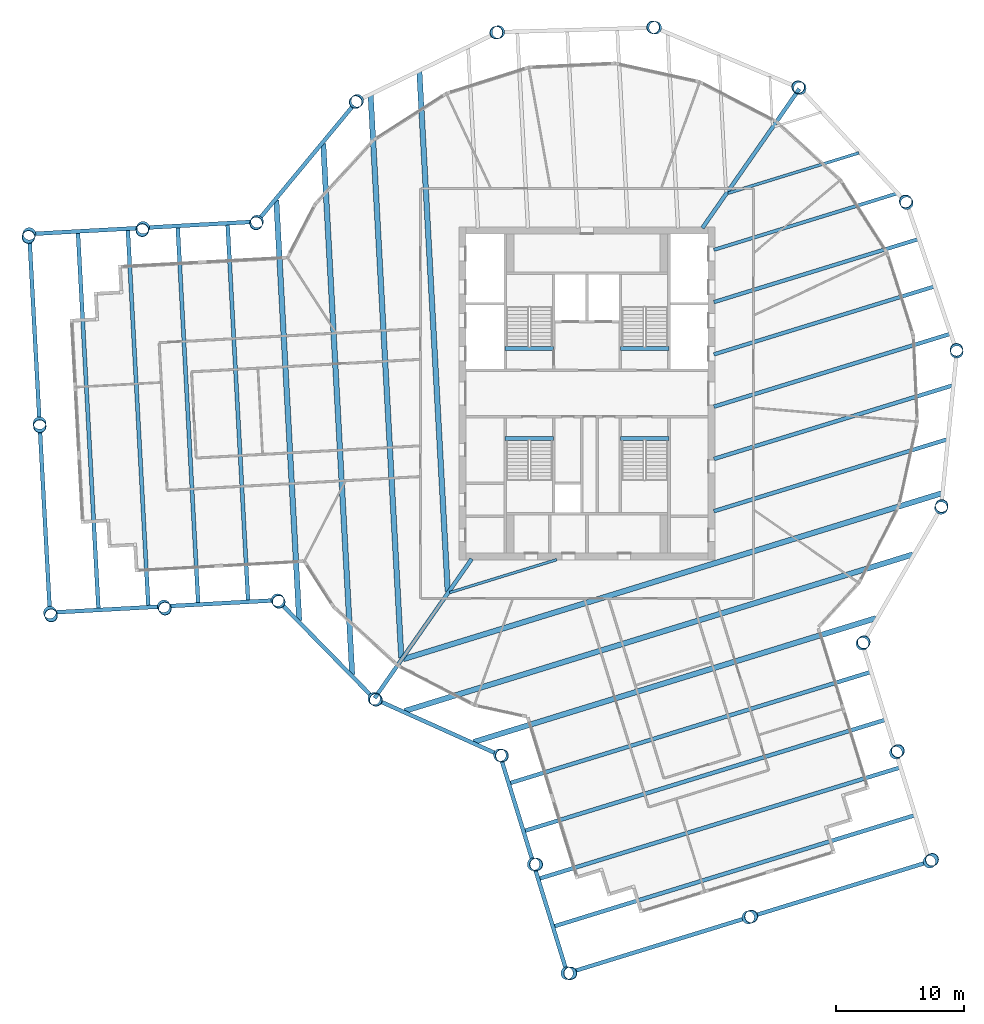
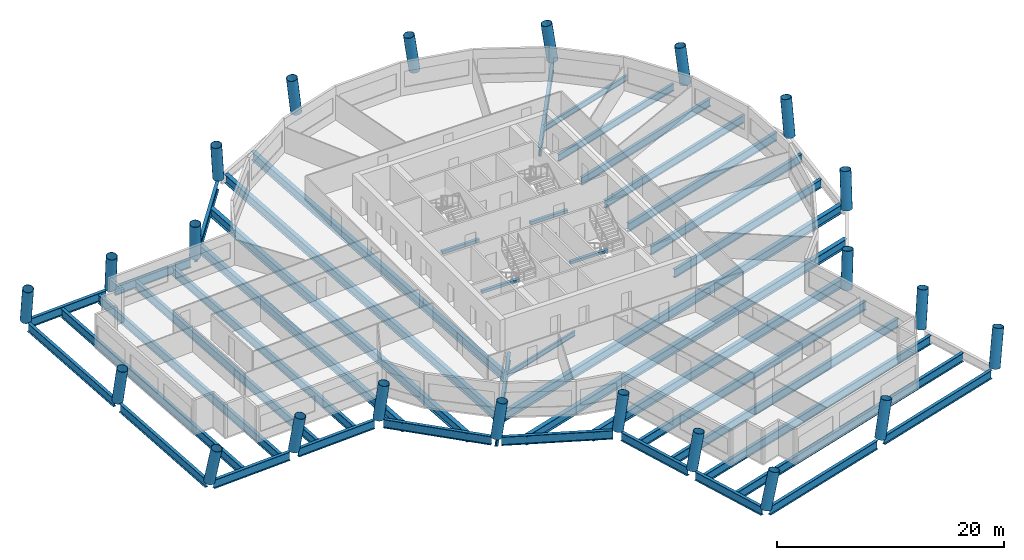
# One storey, part 1 of 11: 42 beams, 22 columns.
"""IFC4 building model written with IfcOpenShell, lengths in metres."""

import ifcopenshell
import ifcopenshell.guid

model = None  # the IFC model being written
_history = None  # IfcOwnerHistory: only IFC2X3 demands one
_inside = {}  # id of a spatial element -> (the spatial element, [elements in it])
_under = {}  # id of a project, library or spatial element -> (it, [spatial elements below it])
_declared = {}  # id of a project -> (the project, [libraries it declares])
_typed = {}  # id of a type object -> (the type object, [elements of that type])
_made_of = {}  # id of a material, layer set ... -> (it, [elements and type objects made of it])


def new_model(schema):
    """Start an empty IFC model of exactly this schema.

    Asked for "IFC4X3", IfcOpenShell would pick the latest addendum, in which some entities
    have other attributes; the version numbers below select the first issue.
    IFC2X3 requires an IfcOwnerHistory on every rooted entity: one is made here for all.
    """
    global model, _history
    if schema == "IFC4X3":
        model = ifcopenshell.file(schema_version=(4, 3, 0, 0))
    else:
        model = ifcopenshell.file(schema=schema)
    _inside.clear()
    _under.clear()
    _declared.clear()
    _typed.clear()
    _made_of.clear()
    _history = None
    if model.schema == "IFC2X3":
        org = make("IfcOrganization", Name="unknown")
        user = make(
            "IfcPersonAndOrganization",
            ThePerson=make("IfcPerson", FamilyName="unknown"),
            TheOrganization=org,
        )
        app = make(
            "IfcApplication",
            ApplicationDeveloper=org,
            Version="unknown",
            ApplicationFullName="unknown",
            ApplicationIdentifier="unknown",
        )
        _history = make(
            "IfcOwnerHistory",
            OwningUser=user,
            OwningApplication=app,
            ChangeAction="ADDED",
            CreationDate=0,
        )
    return model


def make(cls, **values):
    """One entity of the class cls with the attributes given. An attribute that is None is left unset."""
    return model.create_entity(
        cls, **{name: value for name, value in values.items() if value is not None}
    )


def rooted(cls, **values):
    """An entity with a GlobalId (a new one), such as an element, a storey or a relation."""
    return make(cls, GlobalId=ifcopenshell.guid.new(), OwnerHistory=_history, **values)


def si_unit(unit_type, name, prefix=None):
    """IfcSIUnit, for example si_unit("LENGTHUNIT", "METRE", prefix="MILLI")."""
    return make("IfcSIUnit", UnitType=unit_type, Prefix=prefix, Name=name)


def assignment(units):
    """IfcUnitAssignment: the units of a project."""
    return None if units is None else make("IfcUnitAssignment", Units=units)


def point(xyz):
    """IfcCartesianPoint."""
    return None if xyz is None else make("IfcCartesianPoint", Coordinates=xyz)


def direction(xyz):
    """IfcDirection."""
    return None if xyz is None else make("IfcDirection", DirectionRatios=xyz)


def frame(location, z_axis=None, x_axis=None):
    """IfcAxis2Placement3D, a coordinate frame: its origin and axes. An axis left out is left unset."""
    return make(
        "IfcAxis2Placement3D",
        Location=point(location),
        Axis=direction(z_axis),
        RefDirection=direction(x_axis),
    )


def frame_2d(location, x_axis=None):
    """IfcAxis2Placement2D, a coordinate frame in the plane: its origin and x axis."""
    return make(
        "IfcAxis2Placement2D", Location=point(location), RefDirection=direction(x_axis)
    )


def origin():
    """The frame at (0, 0, 0) with its axes left unset."""
    return frame((0.0, 0.0, 0.0))


def origin_2d():
    """The frame at (0, 0) in the plane with its x axis left unset."""
    return frame_2d((0.0, 0.0))


def place(relative_to, where):
    """IfcLocalPlacement: puts the frame where relative to a parent placement (None: the world)."""
    return make(
        "IfcLocalPlacement", PlacementRelTo=relative_to, RelativePlacement=where
    )


def context(
    kind, dimensions, precision=None, world=None, true_north=None, identifier=None
):
    """IfcGeometricRepresentationContext, for example the 3D "Model" context."""
    return make(
        "IfcGeometricRepresentationContext",
        ContextIdentifier=identifier,
        ContextType=kind,
        CoordinateSpaceDimension=dimensions,
        Precision=precision,
        WorldCoordinateSystem=world,
        TrueNorth=true_north,
    )


def subcontext(parent, identifier, kind, view, scale=None):
    """IfcGeometricRepresentationSubContext, for example "Body" below "Model"."""
    return make(
        "IfcGeometricRepresentationSubContext",
        ContextIdentifier=identifier,
        ContextType=kind,
        ParentContext=parent,
        TargetScale=scale,
        TargetView=view,
    )


def project(units=None, contexts=None):
    """IfcProject with its units and contexts."""
    return rooted(
        "IfcProject",
        Name="project",
        RepresentationContexts=contexts,
        UnitsInContext=assignment(units),
    )


def spatial(cls, under=None, at=None, **own):
    """A site, building, storey or space (cls), placed at a placement, below another one or the project."""
    s = rooted(cls, ObjectPlacement=at, **own)
    if under is not None:
        _under.setdefault(under.id(), (under, []))[1].append(s)
    return s


def profile(cls, at=None, kind="AREA", **sizes):
    """A parametric profile (cls). Its sizes go by their IFC names, for example OverallWidth=200.0."""
    return make(cls, ProfileType=kind, Position=at, **sizes)


def rectangle(**sizes):
    """IfcRectangleProfileDef."""
    return profile("IfcRectangleProfileDef", **sizes)


def hollow_circle(**sizes):
    """IfcCircleHollowProfileDef."""
    return profile("IfcCircleHollowProfileDef", **sizes)


def i_section(**sizes):
    """IfcIShapeProfileDef."""
    return profile("IfcIShapeProfileDef", **sizes)


def extrude(swept, where, along, depth):
    """IfcExtrudedAreaSolid: the profile swept, set in the frame where, extruded along a direction by depth."""
    return make(
        "IfcExtrudedAreaSolid",
        SweptArea=swept,
        Position=where,
        ExtrudedDirection=direction(along),
        Depth=depth,
    )


def shape(context_of_items, identifier, shape_type, items):
    """IfcShapeRepresentation: the items that make up one representation, for example the "Body"."""
    return make(
        "IfcShapeRepresentation",
        ContextOfItems=context_of_items,
        RepresentationIdentifier=identifier,
        RepresentationType=shape_type,
        Items=items,
    )


def material(Name=None, Category=None):
    """IfcMaterial."""
    return make("IfcMaterial", Name=Name, Category=Category)


def material_profile(
    of_material, cross_section, Name=None, Category=None, Priority=None
):
    """IfcMaterialProfile: a cross section and its material."""
    return make(
        "IfcMaterialProfile",
        Name=Name,
        Material=of_material,
        Profile=cross_section,
        Priority=Priority,
        Category=Category,
    )


def profile_set(profiles, Name=None, composite=None):
    """IfcMaterialProfileSet."""
    return make(
        "IfcMaterialProfileSet",
        Name=Name,
        MaterialProfiles=profiles,
        CompositeProfile=composite,
    )


def made_of(thing, what):
    """Note that an element or type object is made of a material, layer set ...; save() writes the relation."""
    if what is not None:
        _made_of.setdefault(what.id(), (what, []))[1].append(thing)
    return thing


def type_object(cls, material=None, **own):
    """A type object (cls), such as IfcWallType, which elements share."""
    return made_of(rooted(cls, **own), material)


def element(
    cls,
    number,
    at=None,
    inside=None,
    cuts=None,
    type_object=None,
    material=None,
    context=None,
    identifier="Body",
    shape_type=None,
    held_by="IfcProductDefinitionShape",
    body=None,
    shapes=None,
    **own,
):
    """One element of the class cls, such as IfcWall. Its Tag is "e" and its number.

    at: its placement. inside: the storey or other place that contains it. cuts: it is an
    opening in that element (IfcRelVoidsElement). A single representation is given by context,
    identifier, shape_type and body (its items); several are given by shapes. held_by: the class
    of the entity that holds the representations. save() writes the other relations.
    """
    e = rooted(cls, Tag="e%d" % number, ObjectPlacement=at, **own)
    if body is not None:
        shapes = [shape(context, identifier, shape_type, body)]
    if shapes is not None:
        e.Representation = make(held_by, Representations=shapes)
    if inside is not None:
        _inside.setdefault(inside.id(), (inside, []))[1].append(e)
    if cuts is not None:
        rooted(
            "IfcRelVoidsElement", RelatingBuildingElement=cuts, RelatedOpeningElement=e
        )
    if type_object is not None:
        _typed.setdefault(type_object.id(), (type_object, []))[1].append(e)
    return made_of(e, material)


def aggregate(whole, parts):
    """IfcRelAggregates: a whole, such as a stair, and the parts it consists of."""
    return rooted("IfcRelAggregates", RelatingObject=whole, RelatedObjects=parts)


def save(model, path):
    """Write the relations noted so far, then the file.

    IfcRelAggregates (storeys below a building ...), IfcRelContainedInSpatialStructure (elements
    in a storey), IfcRelDefinesByType, IfcRelAssociatesMaterial and IfcRelDeclares: one each for
    every whole, place, type object, material and project.
    """
    for whole, parts in _under.values():
        aggregate(whole, parts)
    for where, things in _inside.values():
        rooted(
            "IfcRelContainedInSpatialStructure",
            RelatedElements=things,
            RelatingStructure=where,
        )
    for kind, things in _typed.values():
        rooted("IfcRelDefinesByType", RelatedObjects=things, RelatingType=kind)
    for what, things in _made_of.values():
        rooted("IfcRelAssociatesMaterial", RelatedObjects=things, RelatingMaterial=what)
    for by, libraries in _declared.values():
        rooted("IfcRelDeclares", RelatingContext=by, RelatedDefinitions=libraries)
    model.write(path)


model = new_model("IFC4")

# Units and contexts
model_context = context("Model", 3, precision=1e-05, world=origin(), true_north=direction((0.0, 1.0)))
body_context = subcontext(model_context, "Body", "Model", "MODEL_VIEW")
ifc_project = project(units=[si_unit("LENGTHUNIT", "METRE"), si_unit("AREAUNIT", "SQUARE_METRE"), si_unit("VOLUMEUNIT", "CUBIC_METRE"), si_unit("PLANEANGLEUNIT", "RADIAN"), si_unit("MASSUNIT", "GRAM", prefix="KILO")], contexts=[model_context])

# Site, building, storey
site_placement = place(None, origin())
site = spatial("IfcSite", under=ifc_project, at=site_placement, CompositionType="ELEMENT")
building_placement = place(site_placement, origin())
building = spatial("IfcBuilding", under=site, at=building_placement, Name="Tarsis Ring Headquarters", CompositionType="ELEMENT")
storey_placement = place(building_placement, frame((0.0, 0.0, 298.10009765625)))
storey = spatial("IfcBuildingStorey", under=building, at=storey_placement, Name="L70", CompositionType="ELEMENT", Elevation=298.10009765625)

# Columns
ifc_material_1 = material(Name="Structural steel S355", Category="steel")
ifc_material_profile_1 = material_profile(ifc_material_1, hollow_circle(Radius=0.508056640625, WallThickness=0.0400390625, at=origin_2d()), Name="CHS 1016x40")
ifc_profile_set_1 = profile_set([ifc_material_profile_1], Name="Structural steel S355")
column_type = type_object("IfcColumnType", Name="XC Exo column CHS 1016x40", PredefinedType="COLUMN", material=ifc_profile_set_1)
for number, where, z_axis, x_axis, name in (
    (1, (-16.611328125, -23.830078125, 0.001953125), (0.110587446047, -0.075615880527, 0.990985698882), (0.564433670168, 0.825478426115, 0.0), "Exo column XC6 F1"),
    (2, (-6.785888671875, -28.244873046875, 0.001953125), (0.130535657275, -0.030109227538, 0.99098631504), (0.224757549709, 0.974414718613, 0.0), "Exo column XC6 AK"),
):
    element("IfcColumn", number, at=place(storey_placement, frame(where, z_axis=z_axis, x_axis=x_axis)), inside=storey, type_object=column_type, Name=name, PredefinedType="COLUMN", context=body_context, shape_type="SweptSolid", body=[
        extrude(hollow_circle(Radius=0.508056640625, WallThickness=0.0400390625, at=origin_2d()), origin(), (0.0, 0.0, 1.0), 3.91650390625),
    ])
column_1_placement = place(storey_placement, frame((-4.1650390625, -36.75244140625, 0.00244140625), z_axis=(0.168699820831, -0.01762720718, 0.985509843694), x_axis=(0.103922826838, 0.994585363889, 0.0)))
element("IfcColumn", 3, at=column_1_placement, inside=storey, type_object=column_type, Name="Exo column XC6 AI1", PredefinedType="COLUMN", context=body_context, shape_type="SweptSolid", body=[
    extrude(hollow_circle(Radius=0.508056640625, WallThickness=0.0400390625, at=origin_2d()), origin(), (0.0, 0.0, 1.0), 3.933349609375),
])
column_2_placement = place(storey_placement, frame((-1.54443359375, -45.26025390625, 0.0029296875), z_axis=(0.206200501393, -0.005182777414, 0.978496035783), x_axis=(0.025126714255, 0.999684274274, 0.0)))
element("IfcColumn", 4, at=column_2_placement, inside=storey, type_object=column_type, Name="Exo column XC6 AT1", PredefinedType="COLUMN", context=body_context, shape_type="SweptSolid", body=[
    extrude(hollow_circle(Radius=0.508056640625, WallThickness=0.0400390625, at=origin_2d()), origin(), (0.0, 0.0, 1.0), 3.95703125),
])
column_3_placement = place(storey_placement, frame((12.599853515625, -40.9033203125, 0.0029296875), z_axis=(0.186145121661, 0.059163361484, 0.980739359025), x_axis=(-0.302903162475, 0.953021339825, 0.0)))
element("IfcColumn", 5, at=column_3_placement, inside=storey, type_object=column_type, Name="Exo column XC6 AT2", PredefinedType="COLUMN", context=body_context, shape_type="SweptSolid", body=[
    extrude(hollow_circle(Radius=0.508056640625, WallThickness=0.0400390625, at=origin_2d()), origin(), (0.0, 0.0, 1.0), 3.94921875),
])
column_4_placement = place(storey_placement, frame((26.743896484375, -36.54638671875, 0.0029296875), z_axis=(0.165355788019, 0.123276441963, 0.978499045593), x_axis=(-0.597700060073, 0.801719800298, 0.0)))
element("IfcColumn", 6, at=column_4_placement, inside=storey, type_object=column_type, Name="Exo column XC6 AT3", PredefinedType="COLUMN", context=body_context, shape_type="SweptSolid", body=[
    extrude(hollow_circle(Radius=0.508056640625, WallThickness=0.0400390625, at=origin_2d()), origin(), (0.0, 0.0, 1.0), 3.956787109375),
])
column_5_placement = place(storey_placement, frame((24.123291015625, -28.038818359375, 0.00244140625), z_axis=(0.12754847813, 0.111845429484, 0.985505954132), x_axis=(-0.659307215902, 0.751873656314, 0.0)))
element("IfcColumn", 7, at=column_5_placement, inside=storey, type_object=column_type, Name="Exo column XC6 AO1", PredefinedType="COLUMN", context=body_context, shape_type="SweptSolid", body=[
    extrude(hollow_circle(Radius=0.508056640625, WallThickness=0.0400390625, at=origin_2d()), origin(), (0.0, 0.0, 1.0), 3.93359375),
])
for number, where, z_axis, x_axis, name in (
    (8, (21.50244140625, -19.531005859375, 0.001953125), (0.089205174603, 0.099989587745, 0.990981593758), (-0.746201740964, 0.665719882369, 0.0), "Exo column XC6 AJ"),
    (9, (27.641357421875, -8.931640625, 0.001953125), (0.040020911059, 0.12785496664, 0.990985082725), (-0.954339121356, 0.298725361243, 0.0), "Exo column XC6 R1"),
    (10, (28.865478515625, 3.255859375, 0.001953125), (-0.016207757707, 0.133028288257, 0.990979708729), (-0.992659504426, -0.120942582545, 0.0), "Exo column XC6 R2"),
    (11, (24.957275390625, 14.864501953125, 0.001953125), (-0.069630925636, 0.11451388576, 0.990978357061), (-0.854440971057, -0.519548483762, 0.0), "Exo column XC6 R3"),
    (12, (16.611328125, 23.830078125, 0.001953125), (-0.110587446047, 0.075615880527, 0.990985698882), (-0.564433670168, -0.825478426115, 0.0), "Exo column XC6 R4"),
    (13, (5.31201171875, 28.55859375, 0.001953125), (-0.131907295313, 0.023314427432, 0.990987841962), (-0.174050810832, -0.98473667305, 0.0), "Exo column XC6 R5"),
    (14, (-6.931884765625, 28.209228515625, 0.001953125), (-0.129787965071, -0.033101541524, 0.990989087766), (0.247132236473, -0.968981763345, 0.0), "Exo column XC6 R6"),
    (15, (-17.943115234375, 22.84423828125, 0.001953125), (-0.104602826547, -0.083719663917, 0.990983989049), (0.624865255526, -0.780732612638, 0.0), "Exo column XC6 R7"),
    (16, (-25.76416015625, 13.41748046875, 0.001953125), (-0.06077907664, -0.119438677787, 0.990979468047), (0.891241747899, -0.453528551253, 0.0), "Exo column XC6 BJ"),
):
    element("IfcColumn", number, at=place(storey_placement, frame(where, z_axis=z_axis, x_axis=x_axis)), inside=storey, type_object=column_type, Name=name, PredefinedType="COLUMN", context=body_context, shape_type="SweptSolid", body=[
        extrude(hollow_circle(Radius=0.508056640625, WallThickness=0.0400390625, at=origin_2d()), origin(), (0.0, 0.0, 1.0), 3.91650390625),
    ])
column_6_placement = place(storey_placement, frame((-34.653076171875, 12.9326171875, 0.00244140625), z_axis=(-0.05790886875, -0.159451108059, 0.985505914269), x_axis=(0.939932218059, -0.341361136415, 0.0)))
element("IfcColumn", 17, at=column_6_placement, inside=storey, type_object=column_type, Name="Exo column XC6 BO1", PredefinedType="COLUMN", context=body_context, shape_type="SweptSolid", body=[
    extrude(hollow_circle(Radius=0.508056640625, WallThickness=0.0400390625, at=origin_2d()), origin(), (0.0, 0.0, 1.0), 3.93359375),
])
column_7_placement = place(storey_placement, frame((-43.542236328125, 12.447998046875, 0.0029296875), z_axis=(-0.054913036217, -0.198797531115, 0.978500945363), x_axis=(0.963902648971, -0.266254921659, 0.0)))
element("IfcColumn", 18, at=column_7_placement, inside=storey, type_object=column_type, Name="Exo column XC6 BT3", PredefinedType="COLUMN", context=body_context, shape_type="SweptSolid", body=[
    extrude(hollow_circle(Radius=0.508056640625, WallThickness=0.0400390625, at=origin_2d()), origin(), (0.0, 0.0, 1.0), 3.956787109375),
])
column_8_placement = place(storey_placement, frame((-42.736572265625, -2.330078125, 0.0029296875), z_axis=(0.012426014599, -0.194983333559, 0.980727838799), x_axis=(0.997975497413, 0.063599579892, 0.0)))
element("IfcColumn", 19, at=column_8_placement, inside=storey, type_object=column_type, Name="Exo column XC6 BT2", PredefinedType="COLUMN", context=body_context, shape_type="SweptSolid", body=[
    extrude(hollow_circle(Radius=0.508056640625, WallThickness=0.0400390625, at=origin_2d()), origin(), (0.0, 0.0, 1.0), 3.94921875),
])
column_9_placement = place(storey_placement, frame((-41.9306640625, -17.108154296875, 0.0029296875), z_axis=(0.079593718351, -0.190222816803, 0.978509131264), x_axis=(0.922500463673, 0.38599597734, 0.0)))
element("IfcColumn", 20, at=column_9_placement, inside=storey, type_object=column_type, Name="Exo column XC6 BT1", PredefinedType="COLUMN", context=body_context, shape_type="SweptSolid", body=[
    extrude(hollow_circle(Radius=0.508056640625, WallThickness=0.0400390625, at=origin_2d()), origin(), (0.0, 0.0, 1.0), 3.956787109375),
])
column_10_placement = place(storey_placement, frame((-33.041748046875, -16.62353515625, 0.00244140625), z_axis=(0.077584655212, -0.150824569731, 0.98551132436), x_axis=(0.889245274252, 0.457430696632, 0.0)))
element("IfcColumn", 21, at=column_10_placement, inside=storey, type_object=column_type, Name="Exo column XC6 BI1", PredefinedType="COLUMN", context=body_context, shape_type="SweptSolid", body=[
    extrude(hollow_circle(Radius=0.508056640625, WallThickness=0.0400390625, at=origin_2d()), origin(), (0.0, 0.0, 1.0), 3.933349609375),
])
column_11_placement = place(storey_placement, frame((-24.15283203125, -16.138671875, 0.001953125), z_axis=(0.075428891576, -0.110712158215, 0.99098602429), x_axis=(0.826424187518, 0.56304801064, 0.0)))
element("IfcColumn", 22, at=column_11_placement, inside=storey, type_object=column_type, Name="Exo column XC6 BK", PredefinedType="COLUMN", context=body_context, shape_type="SweptSolid", body=[
    extrude(hollow_circle(Radius=0.508056640625, WallThickness=0.0400390625, at=origin_2d()), origin(), (0.0, 0.0, 1.0), 3.91650390625),
])

# Beams
ifc_material_profile_2 = material_profile(ifc_material_1, i_section(OverallWidth=0.209228515625, OverallDepth=0.533447265625, WebThickness=0.01025390625, FlangeThickness=0.015625, at=origin_2d()), Name="W21x62")
ifc_profile_set_2 = profile_set([ifc_material_profile_2], Name="Structural steel S355")
beam_type_1 = type_object("IfcBeamType", Name="FB Floor beam W21x62", PredefinedType="JOIST", material=ifc_profile_set_2)
beam_1_placement = place(storey_placement, frame((-10.72265625, -15.545166015625, -0.4267578125), z_axis=(0.955690850756, 0.294372209594, 0.0), x_axis=(-0.294372209594, 0.955690850756, 0.0)))
element("IfcBeam", 23, at=beam_1_placement, inside=storey, type_object=beam_type_1, Name="Floor beam FB3", PredefinedType="JOIST", context=body_context, shape_type="SweptSolid", body=[
    extrude(i_section(OverallWidth=0.209228515625, OverallDepth=0.533447265625, WebThickness=0.01025390625, FlangeThickness=0.015625, at=origin_2d()), origin(), (0.0, 0.0, 1.0), 8.746337890625),
])
ifc_material_profile_3 = material_profile(ifc_material_1, i_section(OverallWidth=0.228271484375, OverallDepth=0.607177734375, WebThickness=0.01123046875, FlangeThickness=0.017333984375, at=origin_2d()), Name="W24x76")
ifc_profile_set_3 = profile_set([ifc_material_profile_3], Name="Structural steel S355")
beam_type_2 = type_object("IfcBeamType", Name="FB Floor beam W24x76", PredefinedType="JOIST", material=ifc_profile_set_3)
beam_2_placement = place(storey_placement, frame((11.012451171875, 15.634521484375, -0.463623046875), z_axis=(0.955692510818, 0.294366820085, 0.0), x_axis=(-0.294366820085, 0.955692510818, 0.0)))
element("IfcBeam", 24, at=beam_2_placement, inside=storey, type_object=beam_type_2, Name="Floor beam FB4", PredefinedType="JOIST", context=body_context, shape_type="SweptSolid", body=[
    extrude(i_section(OverallWidth=0.228271484375, OverallDepth=0.607177734375, WebThickness=0.01123046875, FlangeThickness=0.017333984375, at=origin_2d()), origin(), (0.0, 0.0, 1.0), 10.684814453125),
])
ifc_material_profile_4 = material_profile(ifc_material_1, i_section(OverallWidth=0.2666015625, OverallDepth=0.7568359375, WebThickness=0.013916015625, FlangeThickness=0.019287109375, at=origin_2d()), Name="W30x108")
ifc_profile_set_4 = profile_set([ifc_material_profile_4], Name="Structural steel S355")
beam_type_3 = type_object("IfcBeamType", Name="FB Floor beam W30x108", PredefinedType="JOIST", material=ifc_profile_set_4)
beam_3_placement = place(storey_placement, frame((9.904541015625, 11.21240234375, -0.53857421875), z_axis=(0.955689177985, 0.294377640256, 0.0), x_axis=(-0.294377640256, 0.955689177985, 0.0)))
element("IfcBeam", 25, at=beam_3_placement, inside=storey, type_object=beam_type_3, Name="Floor beam FB6", PredefinedType="JOIST", context=body_context, shape_type="SweptSolid", body=[
    extrude(i_section(OverallWidth=0.2666015625, OverallDepth=0.7568359375, WebThickness=0.013916015625, FlangeThickness=0.019287109375, at=origin_2d()), origin(), (0.0, 0.0, 1.0), 14.93310546875),
])
ifc_material_profile_5 = material_profile(ifc_material_1, i_section(OverallWidth=0.2919921875, OverallDepth=0.835693359375, WebThickness=0.013916015625, FlangeThickness=0.018798828125, at=origin_2d()), Name="W33x118")
ifc_profile_set_5 = profile_set([ifc_material_profile_5], Name="Structural steel S355")
beam_type_4 = type_object("IfcBeamType", Name="FB Floor beam W33x118", PredefinedType="JOIST", material=ifc_profile_set_5)
beam_4_placement = place(storey_placement, frame((9.904541015625, 7.131591796875, -0.577880859375), z_axis=(0.955688790779, 0.294378897305, 0.0), x_axis=(-0.294378897305, 0.955688790779, 0.0)))
element("IfcBeam", 26, at=beam_4_placement, inside=storey, type_object=beam_type_4, Name="Floor beam FB7", PredefinedType="JOIST", context=body_context, shape_type="SweptSolid", body=[
    extrude(i_section(OverallWidth=0.2919921875, OverallDepth=0.835693359375, WebThickness=0.013916015625, FlangeThickness=0.018798828125, at=origin_2d()), origin(), (0.0, 0.0, 1.0), 16.683837890625),
])
beam_5_placement = place(storey_placement, frame((9.904541015625, 3.05078125, -0.577880859375), z_axis=(0.955691214574, 0.294371028441, 0.0), x_axis=(-0.294371028441, 0.955691214574, 0.0)))
element("IfcBeam", 27, at=beam_5_placement, inside=storey, type_object=beam_type_4, Name="Floor beam FB7", PredefinedType="JOIST", context=body_context, shape_type="SweptSolid", body=[
    extrude(i_section(OverallWidth=0.2919921875, OverallDepth=0.835693359375, WebThickness=0.013916015625, FlangeThickness=0.018798828125, at=origin_2d()), origin(), (0.0, 0.0, 1.0), 17.986328125),
])
ifc_material_profile_6 = material_profile(ifc_material_1, i_section(OverallWidth=0.3046875, OverallDepth=0.904296875, WebThickness=0.01513671875, FlangeThickness=0.02001953125, at=origin_2d()), Name="W36x135")
ifc_profile_set_6 = profile_set([ifc_material_profile_6], Name="Structural steel S355")
beam_type_5 = type_object("IfcBeamType", Name="FB Floor beam W36x135", PredefinedType="JOIST", material=ifc_profile_set_6)
beam_6_placement = place(storey_placement, frame((9.904541015625, -1.030029296875, -0.6123046875), z_axis=(0.95568865338, 0.294379343367, 0.0), x_axis=(-0.294379343367, 0.95568865338, 0.0)))
element("IfcBeam", 28, at=beam_6_placement, inside=storey, type_object=beam_type_5, Name="Floor beam FB8", PredefinedType="JOIST", context=body_context, shape_type="SweptSolid", body=[
    extrude(i_section(OverallWidth=0.3046875, OverallDepth=0.904296875, WebThickness=0.01513671875, FlangeThickness=0.02001953125, at=origin_2d()), origin(), (0.0, 0.0, 1.0), 19.288818359375),
])
beam_7_placement = place(storey_placement, frame((9.904541015625, -5.11083984375, -0.6123046875), z_axis=(0.955689623319, 0.294376194487, 0.0), x_axis=(-0.294376194487, 0.955689623319, 0.0)))
element("IfcBeam", 29, at=beam_7_placement, inside=storey, type_object=beam_type_5, Name="Floor beam FB8", PredefinedType="JOIST", context=body_context, shape_type="SweptSolid", body=[
    extrude(i_section(OverallWidth=0.3046875, OverallDepth=0.904296875, WebThickness=0.01513671875, FlangeThickness=0.02001953125, at=origin_2d()), origin(), (0.0, 0.0, 1.0), 19.498046875),
])
beam_8_placement = place(storey_placement, frame((9.904541015625, -9.191650390625, -0.6123046875), z_axis=(0.955690318477, 0.294373937652, 0.0), x_axis=(-0.294373937652, 0.955690318477, 0.0)))
element("IfcBeam", 30, at=beam_8_placement, inside=storey, type_object=beam_type_5, Name="Floor beam FB8", PredefinedType="JOIST", context=body_context, shape_type="SweptSolid", body=[
    extrude(i_section(OverallWidth=0.3046875, OverallDepth=0.904296875, WebThickness=0.01513671875, FlangeThickness=0.02001953125, at=origin_2d()), origin(), (0.0, 0.0, 1.0), 19.05517578125),
])
ifc_material_profile_7 = material_profile(ifc_material_1, i_section(OverallWidth=0.309814453125, OverallDepth=0.949951171875, WebThickness=0.0244140625, FlangeThickness=0.0439453125, at=origin_2d()), Name="W36x256")
ifc_profile_set_7 = profile_set([ifc_material_profile_7], Name="Structural steel S355")
beam_type_6 = type_object("IfcBeamType", Name="FB Floor beam W36x256", PredefinedType="JOIST", material=ifc_profile_set_7)
for number, where, z_axis, x_axis, name in (
    (31, (-6.05517578125, -30.430908203125, -0.635009765625), (0.955689822888, 0.294375546585, 0.0), (-0.294375546585, 0.955689822888, 0.0), "Floor beam FB11"),
    (32, (-4.9072265625, -34.158203125, -0.635009765625), (0.955689822888, 0.294375546585, 0.0), (-0.294375546585, 0.955689822888, 0.0), "Floor beam FB11"),
):
    element("IfcBeam", number, at=place(storey_placement, frame(where, z_axis=z_axis, x_axis=x_axis)), inside=storey, type_object=beam_type_6, Name=name, PredefinedType="JOIST", context=body_context, shape_type="SweptSolid", body=[
        extrude(i_section(OverallWidth=0.309814453125, OverallDepth=0.949951171875, WebThickness=0.0244140625, FlangeThickness=0.0439453125, at=origin_2d()), origin(), (0.0, 0.0, 1.0), 29.489990234375),
    ])
beam_9_placement = place(storey_placement, frame((-3.75927734375, -37.88525390625, -0.635009765625), z_axis=(0.955690540291, 0.29437321753, 0.0), x_axis=(-0.29437321753, 0.955690540291, 0.0)))
element("IfcBeam", 33, at=beam_9_placement, inside=storey, type_object=beam_type_6, Name="Floor beam FB11", PredefinedType="JOIST", context=body_context, shape_type="SweptSolid", body=[
    extrude(i_section(OverallWidth=0.309814453125, OverallDepth=0.949951171875, WebThickness=0.0244140625, FlangeThickness=0.0439453125, at=origin_2d()), origin(), (0.0, 0.0, 1.0), 29.490234375),
])
for number, where, z_axis, x_axis, name in (
    (34, (-2.611083984375, -41.612548828125, -0.635009765625), (0.955689822888, 0.294375546585, 0.0), (-0.294375546585, 0.955689822888, 0.0), "Floor beam FB11"),
    (35, (-28.06201171875, 13.2373046875, -0.635009765625), (0.05442457279, -0.998517884605, 0.0), (0.998517884605, 0.05442457279, 0.0), "Floor beam FB11"),
):
    element("IfcBeam", number, at=place(storey_placement, frame(where, z_axis=z_axis, x_axis=x_axis)), inside=storey, type_object=beam_type_6, Name=name, PredefinedType="JOIST", context=body_context, shape_type="SweptSolid", body=[
        extrude(i_section(OverallWidth=0.309814453125, OverallDepth=0.949951171875, WebThickness=0.0244140625, FlangeThickness=0.0439453125, at=origin_2d()), origin(), (0.0, 0.0, 1.0), 29.489990234375),
    ])
beam_10_placement = place(storey_placement, frame((-31.956298828125, 13.025146484375, -0.635009765625), z_axis=(0.054424122894, -0.998517909127, 0.0), x_axis=(0.998517909127, 0.054424122894, 0.0)))
element("IfcBeam", 36, at=beam_10_placement, inside=storey, type_object=beam_type_6, Name="Floor beam FB11", PredefinedType="JOIST", context=body_context, shape_type="SweptSolid", body=[
    extrude(i_section(OverallWidth=0.309814453125, OverallDepth=0.949951171875, WebThickness=0.0244140625, FlangeThickness=0.0439453125, at=origin_2d()), origin(), (0.0, 0.0, 1.0), 29.490234375),
])
beam_11_placement = place(storey_placement, frame((-35.8505859375, 12.812744140625, -0.635009765625), z_axis=(0.054432827024, -0.998517434671, 0.0), x_axis=(0.998517434671, 0.054432827024, 0.0)))
element("IfcBeam", 37, at=beam_11_placement, inside=storey, type_object=beam_type_6, Name="Floor beam FB11", PredefinedType="JOIST", context=body_context, shape_type="SweptSolid", body=[
    extrude(i_section(OverallWidth=0.309814453125, OverallDepth=0.949951171875, WebThickness=0.0244140625, FlangeThickness=0.0439453125, at=origin_2d()), origin(), (0.0, 0.0, 1.0), 29.489990234375),
])
beam_12_placement = place(storey_placement, frame((-39.74462890625, 12.6005859375, -0.635009765625), z_axis=(0.054424122894, -0.998517909127, 0.0), x_axis=(0.998517909127, 0.054424122894, 0.0)))
element("IfcBeam", 38, at=beam_12_placement, inside=storey, type_object=beam_type_6, Name="Floor beam FB11", PredefinedType="JOIST", context=body_context, shape_type="SweptSolid", body=[
    extrude(i_section(OverallWidth=0.309814453125, OverallDepth=0.949951171875, WebThickness=0.0244140625, FlangeThickness=0.0439453125, at=origin_2d()), origin(), (0.0, 0.0, 1.0), 29.490234375),
])
beam_type_7 = type_object("IfcBeamType", Name="FB Floor beam W36x256 spine", PredefinedType="BEAM", material=ifc_profile_set_7)
beam_13_placement = place(storey_placement, frame((-9.0048828125, -12.91796875, -0.635009765625), z_axis=(-0.571860334718, -0.820350996571, 0.0), x_axis=(0.820350996571, -0.571860334718, 0.0)))
element("IfcBeam", 39, at=beam_13_placement, inside=storey, type_object=beam_type_7, Name="Floor beam SB11", PredefinedType="BEAM", context=body_context, shape_type="SweptSolid", body=[
    extrude(i_section(OverallWidth=0.309814453125, OverallDepth=0.949951171875, WebThickness=0.0244140625, FlangeThickness=0.0439453125, at=origin_2d()), origin(), (0.0, 0.0, 1.0), 13.244140625),
])
beam_14_placement = place(storey_placement, frame((16.578125, 23.781982421875, -0.635009765625), z_axis=(-0.571861467141, -0.820350207167, 0.0), x_axis=(0.820350207167, -0.571861467141, 0.0)))
element("IfcBeam", 40, at=beam_14_placement, inside=storey, type_object=beam_type_7, Name="Floor beam SB11", PredefinedType="BEAM", context=body_context, shape_type="SweptSolid", body=[
    extrude(i_section(OverallWidth=0.309814453125, OverallDepth=0.949951171875, WebThickness=0.0244140625, FlangeThickness=0.0439453125, at=origin_2d()), origin(), (0.0, 0.0, 1.0), 13.2431640625),
])
ifc_material_profile_8 = material_profile(ifc_material_1, i_section(OverallWidth=0.42431640625, OverallDepth=0.947509765625, WebThickness=0.02392578125, FlangeThickness=0.042724609375, at=origin_2d()), Name="W36x302")
ifc_profile_set_8 = profile_set([ifc_material_profile_8], Name="Structural steel S355")
beam_type_8 = type_object("IfcBeamType", Name="FB Floor beam W36x302", PredefinedType="JOIST", material=ifc_profile_set_8)
beam_15_placement = place(storey_placement, frame((-14.34521484375, -20.741943359375, -0.6337890625), z_axis=(0.955690520109, 0.294373283049, 0.0), x_axis=(-0.294373283049, 0.955690520109, 0.0)))
element("IfcBeam", 41, at=beam_15_placement, inside=storey, type_object=beam_type_8, Name="Floor beam FB12", PredefinedType="JOIST", context=body_context, shape_type="SweptSolid", body=[
    extrude(i_section(OverallWidth=0.42431640625, OverallDepth=0.947509765625, WebThickness=0.02392578125, FlangeThickness=0.042724609375, at=origin_2d()), origin(), (0.0, 0.0, 1.0), 43.986572265625),
])
beam_16_placement = place(storey_placement, frame((-14.250244140625, -24.79345703125, -0.6337890625), z_axis=(0.955691122459, 0.294371327498, 0.0), x_axis=(-0.294371327498, 0.955691122459, 0.0)))
element("IfcBeam", 42, at=beam_16_placement, inside=storey, type_object=beam_type_8, Name="Floor beam FB12", PredefinedType="JOIST", context=body_context, shape_type="SweptSolid", body=[
    extrude(i_section(OverallWidth=0.42431640625, OverallDepth=0.947509765625, WebThickness=0.02392578125, FlangeThickness=0.042724609375, at=origin_2d()), origin(), (0.0, 0.0, 1.0), 41.523681640625),
])
beam_17_placement = place(storey_placement, frame((-8.86181640625, -27.214599609375, -0.6337890625), z_axis=(0.955689689288, 0.29437598032, 0.0), x_axis=(-0.29437598032, 0.955689689288, 0.0)))
element("IfcBeam", 43, at=beam_17_placement, inside=storey, type_object=beam_type_8, Name="Floor beam FB12", PredefinedType="JOIST", context=body_context, shape_type="SweptSolid", body=[
    extrude(i_section(OverallWidth=0.42431640625, OverallDepth=0.947509765625, WebThickness=0.02392578125, FlangeThickness=0.042724609375, at=origin_2d()), origin(), (0.0, 0.0, 1.0), 32.87548828125),
])
beam_18_placement = place(storey_placement, frame((-13.087646484375, 25.14013671875, -0.6337890625), z_axis=(0.054428554649, -0.998517667565, 0.0), x_axis=(0.998517667565, 0.054428554649, 0.0)))
element("IfcBeam", 44, at=beam_18_placement, inside=storey, type_object=beam_type_8, Name="Floor beam FB12", PredefinedType="JOIST", context=body_context, shape_type="SweptSolid", body=[
    extrude(i_section(OverallWidth=0.42431640625, OverallDepth=0.947509765625, WebThickness=0.02392578125, FlangeThickness=0.042724609375, at=origin_2d()), origin(), (0.0, 0.0, 1.0), 40.638916015625),
])
beam_19_placement = place(storey_placement, frame((-16.892333984375, 23.286376953125, -0.6337890625), z_axis=(0.054426661516, -0.998517770756, 0.0), x_axis=(0.998517770756, 0.054426661516, 0.0)))
element("IfcBeam", 45, at=beam_19_placement, inside=storey, type_object=beam_type_8, Name="Floor beam FB12", PredefinedType="JOIST", context=body_context, shape_type="SweptSolid", body=[
    extrude(i_section(OverallWidth=0.42431640625, OverallDepth=0.947509765625, WebThickness=0.02392578125, FlangeThickness=0.042724609375, at=origin_2d()), origin(), (0.0, 0.0, 1.0), 43.986572265625),
])
beam_20_placement = place(storey_placement, frame((-20.592529296875, 19.514404296875, -0.6337890625), z_axis=(0.054426975637, -0.998517753634, 0.0), x_axis=(0.998517753634, 0.054426975637, 0.0)))
element("IfcBeam", 46, at=beam_20_placement, inside=storey, type_object=beam_type_8, Name="Floor beam FB12", PredefinedType="JOIST", context=body_context, shape_type="SweptSolid", body=[
    extrude(i_section(OverallWidth=0.42431640625, OverallDepth=0.947509765625, WebThickness=0.02392578125, FlangeThickness=0.042724609375, at=origin_2d()), origin(), (0.0, 0.0, 1.0), 41.523681640625),
])
beam_21_placement = place(storey_placement, frame((-24.257568359375, 15.096923828125, -0.6337890625), z_axis=(0.054426933564, -0.998517755928, 0.0), x_axis=(0.998517755928, 0.054426933564, 0.0)))
element("IfcBeam", 47, at=beam_21_placement, inside=storey, type_object=beam_type_8, Name="Floor beam FB12", PredefinedType="JOIST", context=body_context, shape_type="SweptSolid", body=[
    extrude(i_section(OverallWidth=0.42431640625, OverallDepth=0.947509765625, WebThickness=0.02392578125, FlangeThickness=0.042724609375, at=origin_2d()), origin(), (0.0, 0.0, 1.0), 32.87548828125),
])
ifc_material_2 = material(Name="Concrete C40/50", Category="concrete")
ifc_material_profile_9 = material_profile(ifc_material_2, rectangle(XDim=0.300048828125, YDim=0.300048828125, at=origin_2d()), Name="Stair head beam 300x300 C40/50")
ifc_profile_set_9 = profile_set([ifc_material_profile_9], Name="Concrete C40/50")
beam_type_9 = type_object("IfcBeamType", Name="Stair head beam 300x300 C40/50", PredefinedType="BEAM", material=ifc_profile_set_9)
for number, where, z_axis, x_axis, name in (
    (48, (-6.39990234375, 3.510009765625, -0.31005859375), (1.0, 0.0, 0.0), (0.0, 1.0, 0.0), "Stair head beam L70 Firefighting stair"),
    (49, (2.60009765625, 3.510009765625, -0.31005859375), (1.0, 0.0, 0.0), (0.0, 1.0, 0.0), "Stair head beam L70 Exit stair B"),
    (50, (-6.39990234375, -3.510009765625, -0.31005859375), (1.0, 0.0, 0.0), (0.0, 1.0, 0.0), "Stair head beam L70 Exit stair C"),
    (51, (2.60009765625, -3.510009765625, -0.31005859375), (1.0, 0.0, 0.0), (0.0, 1.0, 0.0), "Stair head beam L70 Exit stair D"),
):
    element("IfcBeam", number, at=place(storey_placement, frame(where, z_axis=z_axis, x_axis=x_axis)), inside=storey, type_object=beam_type_9, Name=name, PredefinedType="BEAM", context=body_context, shape_type="SweptSolid", body=[
        extrude(rectangle(XDim=0.300048828125, YDim=0.300048828125, at=origin_2d()), origin(), (0.0, 0.0, 1.0), 3.7998046875),
    ])
ifc_material_profile_10 = material_profile(ifc_material_1, i_section(OverallWidth=0.309814453125, OverallDepth=0.93212890625, WebThickness=0.02099609375, FlangeThickness=0.034423828125, at=origin_2d()), Name="W36x210")
ifc_profile_set_10 = profile_set([ifc_material_profile_10], Name="Structural steel S355")
beam_type_10 = type_object("IfcBeamType", Name="XG Ring girder W36x210", PredefinedType="BEAM", material=ifc_profile_set_10)
beam_22_placement = place(storey_placement, frame((-16.194580078125, -24.017333984375, -0.46630859375), z_axis=(0.912153533004, -0.409848669911, 0.0), x_axis=(0.409848669911, 0.912153533004, 0.0)))
element("IfcBeam", 52, at=beam_22_placement, inside=storey, type_object=beam_type_10, Name="Ring girder XG3", PredefinedType="BEAM", context=body_context, shape_type="SweptSolid", body=[
    extrude(i_section(OverallWidth=0.309814453125, OverallDepth=0.93212890625, WebThickness=0.02099609375, FlangeThickness=0.034423828125, at=origin_2d()), origin(), (0.0, 0.0, 1.0), 9.857421875),
])
beam_23_placement = place(storey_placement, frame((-6.651611328125, -28.681640625, -0.46630859375), z_axis=(0.294358596865, -0.955695043647, 0.0), x_axis=(0.955695043647, 0.294358596865, 0.0)))
element("IfcBeam", 53, at=beam_23_placement, inside=storey, type_object=beam_type_10, Name="Ring girder XG3", PredefinedType="BEAM", context=body_context, shape_type="SweptSolid", body=[
    extrude(i_section(OverallWidth=0.309814453125, OverallDepth=0.93212890625, WebThickness=0.02099609375, FlangeThickness=0.034423828125, at=origin_2d()), origin(), (0.0, 0.0, 1.0), 7.988037109375),
])
beam_24_placement = place(storey_placement, frame((-4.031005859375, -37.189453125, -0.46630859375), z_axis=(0.294367195182, -0.955692395282, 0.0), x_axis=(0.955692395282, 0.294367195182, 0.0)))
element("IfcBeam", 54, at=beam_24_placement, inside=storey, type_object=beam_type_10, Name="Ring girder XG3", PredefinedType="BEAM", context=body_context, shape_type="SweptSolid", body=[
    extrude(i_section(OverallWidth=0.309814453125, OverallDepth=0.93212890625, WebThickness=0.02099609375, FlangeThickness=0.034423828125, at=origin_2d()), origin(), (0.0, 0.0, 1.0), 7.98779296875),
])
beam_25_placement = place(storey_placement, frame((-1.108154296875, -45.125732421875, -0.46630859375), z_axis=(0.955689628827, 0.294376176603, 0.0), x_axis=(-0.294376176603, 0.955689628827, 0.0)))
element("IfcBeam", 55, at=beam_25_placement, inside=storey, type_object=beam_type_10, Name="Ring girder XG3", PredefinedType="BEAM", context=body_context, shape_type="SweptSolid", body=[
    extrude(i_section(OverallWidth=0.309814453125, OverallDepth=0.93212890625, WebThickness=0.02099609375, FlangeThickness=0.034423828125, at=origin_2d()), origin(), (0.0, 0.0, 1.0), 13.8857421875),
])
beam_26_placement = place(storey_placement, frame((13.0361328125, -40.76904296875, -0.46630859375), z_axis=(0.955688105176, 0.294381123079, 0.0), x_axis=(-0.294381123079, 0.955688105176, 0.0)))
element("IfcBeam", 56, at=beam_26_placement, inside=storey, type_object=beam_type_10, Name="Ring girder XG3", PredefinedType="BEAM", context=body_context, shape_type="SweptSolid", body=[
    extrude(i_section(OverallWidth=0.309814453125, OverallDepth=0.93212890625, WebThickness=0.02099609375, FlangeThickness=0.034423828125, at=origin_2d()), origin(), (0.0, 0.0, 1.0), 13.885498046875),
])
beam_27_placement = place(storey_placement, frame((-18.23486328125, 22.49267578125, -0.46630859375), z_axis=(-0.638517643248, -0.769607185037, 0.0), x_axis=(0.769607185037, -0.638517643248, 0.0)))
element("IfcBeam", 57, at=beam_27_placement, inside=storey, type_object=beam_type_10, Name="Ring girder XG3", PredefinedType="BEAM", context=body_context, shape_type="SweptSolid", body=[
    extrude(i_section(OverallWidth=0.309814453125, OverallDepth=0.93212890625, WebThickness=0.02099609375, FlangeThickness=0.034423828125, at=origin_2d()), origin(), (0.0, 0.0, 1.0), 11.33447265625),
])
beam_28_placement = place(storey_placement, frame((-26.220458984375, 13.392822265625, -0.46630859375), z_axis=(-0.998517369634, -0.054434020059, 0.0), x_axis=(0.054434020059, -0.998517369634, 0.0)))
element("IfcBeam", 58, at=beam_28_placement, inside=storey, type_object=beam_type_10, Name="Ring girder XG3", PredefinedType="BEAM", context=body_context, shape_type="SweptSolid", body=[
    extrude(i_section(OverallWidth=0.309814453125, OverallDepth=0.93212890625, WebThickness=0.02099609375, FlangeThickness=0.034423828125, at=origin_2d()), origin(), (0.0, 0.0, 1.0), 7.988037109375),
])
beam_29_placement = place(storey_placement, frame((-35.109619140625, 12.908203125, -0.46630859375), z_axis=(-0.998517279067, -0.05443568135, 0.0), x_axis=(0.05443568135, -0.998517279067, 0.0)))
element("IfcBeam", 59, at=beam_29_placement, inside=storey, type_object=beam_type_10, Name="Ring girder XG3", PredefinedType="BEAM", context=body_context, shape_type="SweptSolid", body=[
    extrude(i_section(OverallWidth=0.309814453125, OverallDepth=0.93212890625, WebThickness=0.02099609375, FlangeThickness=0.034423828125, at=origin_2d()), origin(), (0.0, 0.0, 1.0), 7.98779296875),
])
for number, where, z_axis, x_axis, name in (
    (60, (-43.51708984375, 11.991943359375, -0.46630859375), (0.054417320986, -0.998518279841, 0.0), (0.998518279841, 0.054417320986, 0.0), "Ring girder XG3"),
    (61, (-42.711669921875, -2.7861328125, -0.46630859375), (0.054434851228, -0.998517324322, 0.0), (0.998517324322, 0.054434851228, 0.0), "Ring girder XG3"),
):
    element("IfcBeam", number, at=place(storey_placement, frame(where, z_axis=z_axis, x_axis=x_axis)), inside=storey, type_object=beam_type_10, Name=name, PredefinedType="BEAM", context=body_context, shape_type="SweptSolid", body=[
        extrude(i_section(OverallWidth=0.309814453125, OverallDepth=0.93212890625, WebThickness=0.02099609375, FlangeThickness=0.034423828125, at=origin_2d()), origin(), (0.0, 0.0, 1.0), 13.885498046875),
    ])
for number, where, z_axis, x_axis, name in (
    (62, (-41.474609375, -17.082763671875, -0.46630859375), (0.998517369634, 0.054434020059, 0.0), (-0.054434020059, 0.998517369634, 0.0), "Ring girder XG3"),
    (63, (-32.58544921875, -16.59814453125, -0.46630859375), (0.998517369634, 0.054434020059, 0.0), (-0.054434020059, 0.998517369634, 0.0), "Ring girder XG3"),
):
    element("IfcBeam", number, at=place(storey_placement, frame(where, z_axis=z_axis, x_axis=x_axis)), inside=storey, type_object=beam_type_10, Name=name, PredefinedType="BEAM", context=body_context, shape_type="SweptSolid", body=[
        extrude(i_section(OverallWidth=0.309814453125, OverallDepth=0.93212890625, WebThickness=0.02099609375, FlangeThickness=0.034423828125, at=origin_2d()), origin(), (0.0, 0.0, 1.0), 7.988037109375),
    ])
beam_30_placement = place(storey_placement, frame((-23.832763671875, -16.46484375, -0.46630859375), z_axis=(0.700100382539, -0.71404443445, 0.0), x_axis=(0.71404443445, 0.700100382539, 0.0)))
element("IfcBeam", 64, at=beam_30_placement, inside=storey, type_object=beam_type_10, Name="Ring girder XG3", PredefinedType="BEAM", context=body_context, shape_type="SweptSolid", body=[
    extrude(i_section(OverallWidth=0.309814453125, OverallDepth=0.93212890625, WebThickness=0.02099609375, FlangeThickness=0.034423828125, at=origin_2d()), origin(), (0.0, 0.0, 1.0), 9.857421875),
])

save(model, "model.ifc")
